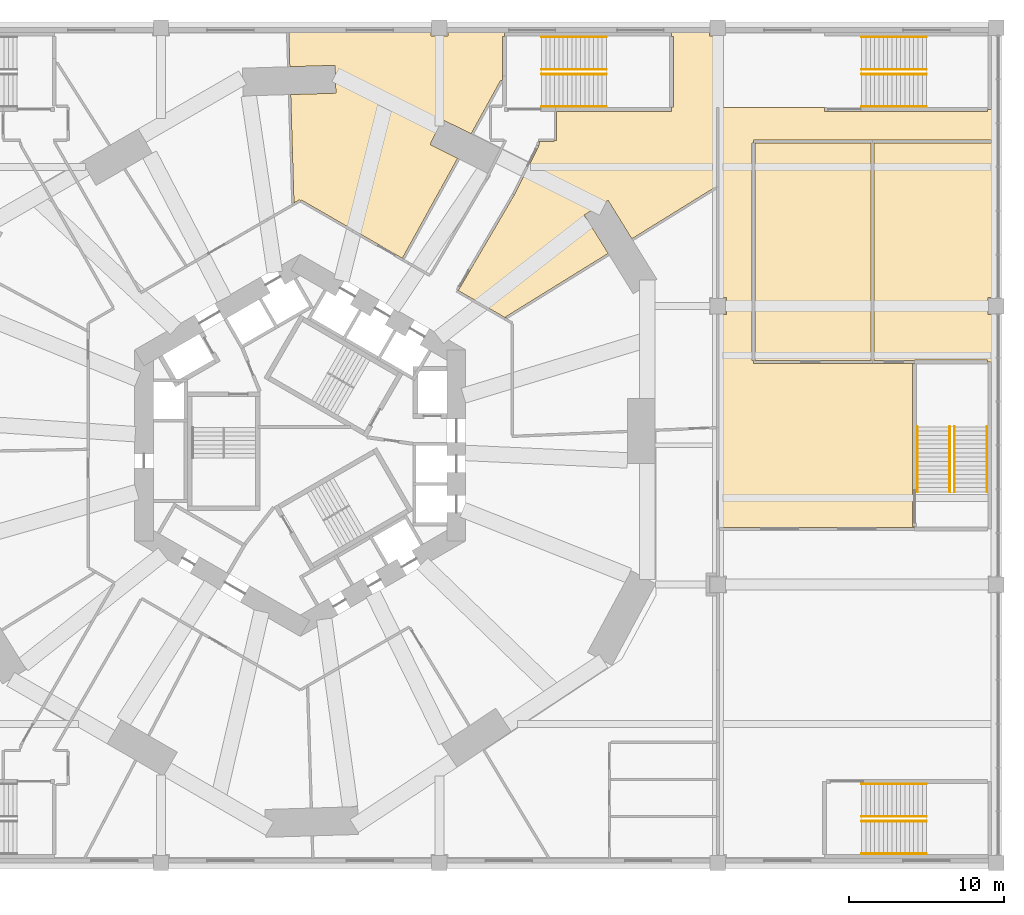
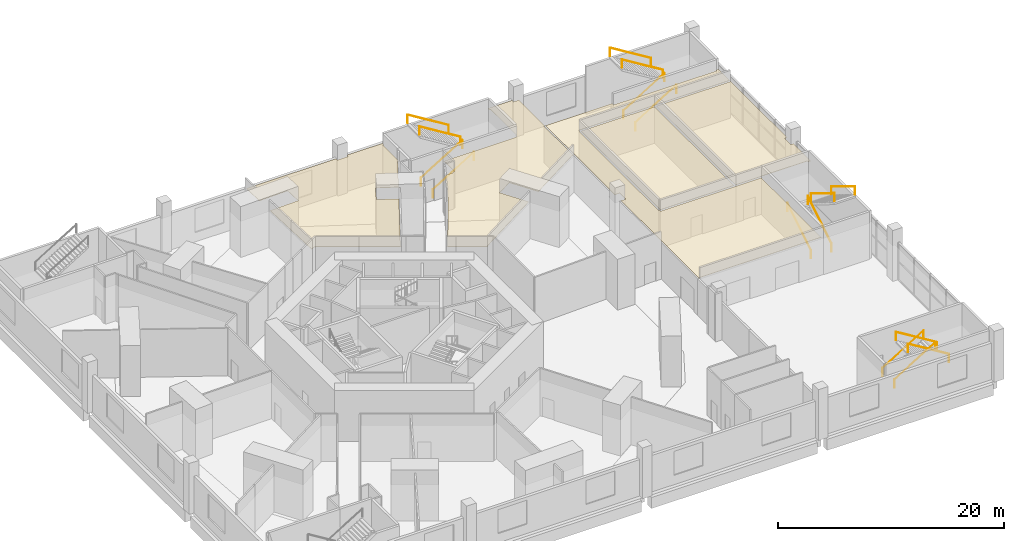
# One storey, part 16 of 16: 16 railings, 5 coverings.
"""IFC4 building model written with IfcOpenShell, lengths in metres."""

from ifc_helpers import new_model, si_unit, direction, frame, origin, origin_2d, place, context, subcontext, project, spatial, polyline, circle, outline, extrude, material, layer, layer_set, type_object, element, save


model = new_model("IFC4")

# Units and contexts
model_context = context("Model", 3, precision=1e-05, world=origin(), true_north=direction((0.0, 1.0)))
body_context = subcontext(model_context, "Body", "Model", "MODEL_VIEW")
ifc_project = project(units=[si_unit("LENGTHUNIT", "METRE"), si_unit("AREAUNIT", "SQUARE_METRE"), si_unit("VOLUMEUNIT", "CUBIC_METRE"), si_unit("PLANEANGLEUNIT", "RADIAN"), si_unit("MASSUNIT", "GRAM", prefix="KILO")], contexts=[model_context])

# Site, building, storey
site_placement = place(None, origin())
site = spatial("IfcSite", under=ifc_project, at=site_placement, CompositionType="ELEMENT")
building_placement = place(site_placement, origin())
building = spatial("IfcBuilding", under=site, at=building_placement, Name="Vanh Sen Convention Tower", CompositionType="ELEMENT")
storey_placement = place(building_placement, frame((0.0, 0.0, 29.0)))
storey = spatial("IfcBuildingStorey", under=building, at=storey_placement, Name="L04", CompositionType="ELEMENT", Elevation=29.0)

# Railings
ifc_material_1 = material(Name="Stainless steel", Category="steel")
railing_type = type_object("IfcRailingType", Name="Podium handrail 900", PredefinedType="HANDRAIL", material=ifc_material_1)
for number, where, name in (
    (1, (36.300048828125, 21.89990234375, 0.171875), "Handrail PS1 L04"),
    (2, (36.300048828125, 24.0, 0.171875), "Handrail PS1 L04"),
):
    element("IfcRailing", number, at=place(storey_placement, frame(where)), inside=storey, type_object=railing_type, Name=name, PredefinedType="HANDRAIL", context=body_context, shape_type="SweptSolid", body=[
        extrude(circle(Radius=0.02392578125, at=origin_2d()), frame((0.0, 0.0, 0.8759765625), z_axis=(0.852242915053, 0.0, 0.523146264196), x_axis=(0.0, 1.0, 0.0)), (0.0, 0.0, 1.0), 4.92822265625),
        extrude(circle(Radius=0.02099609375, at=origin_2d()), origin(), (0.0, 0.0, 1.0), 0.851806640625),
        extrude(circle(Radius=0.02099609375, at=origin_2d()), frame((4.199951171875, 0.0, 2.578125)), (0.0, 0.0, 1.0), 0.851806640625),
    ])
for number, where, name in (
    (3, (40.5, 26.39990234375, 2.921875), "Handrail PS1 L04"),
    (4, (40.5, 24.300048828125, 2.921875), "Handrail PS1 L04"),
):
    element("IfcRailing", number, at=place(storey_placement, frame(where)), inside=storey, type_object=railing_type, Name=name, PredefinedType="HANDRAIL", context=body_context, shape_type="SweptSolid", body=[
        extrude(circle(Radius=0.02392578125, at=origin_2d()), frame((0.0, 0.0, 0.8759765625), z_axis=(-0.852242915053, 0.0, 0.523146264196), x_axis=(0.0, -1.0, 0.0)), (0.0, 0.0, 1.0), 4.92822265625),
        extrude(circle(Radius=0.02099609375, at=origin_2d()), origin(), (0.0, 0.0, 1.0), 0.851806640625),
        extrude(circle(Radius=0.02099609375, at=origin_2d()), frame((-4.199951171875, 0.0, 2.578125)), (0.0, 0.0, 1.0), 0.851806640625),
    ])
for number, where, name in (
    (5, (36.300048828125, -21.89990234375, 0.171875), "Handrail PS2 L04"),
    (6, (36.300048828125, -24.0, 0.171875), "Handrail PS2 L04"),
):
    element("IfcRailing", number, at=place(storey_placement, frame(where)), inside=storey, type_object=railing_type, Name=name, PredefinedType="HANDRAIL", context=body_context, shape_type="SweptSolid", body=[
        extrude(circle(Radius=0.02392578125, at=origin_2d()), frame((0.0, 0.0, 0.8759765625), z_axis=(0.852242915053, 0.0, 0.523146264196), x_axis=(0.0, 1.0, 0.0)), (0.0, 0.0, 1.0), 4.92822265625),
        extrude(circle(Radius=0.02099609375, at=origin_2d()), origin(), (0.0, 0.0, 1.0), 0.851806640625),
        extrude(circle(Radius=0.02099609375, at=origin_2d()), frame((4.199951171875, 0.0, 2.578125)), (0.0, 0.0, 1.0), 0.851806640625),
    ])
for number, where, name in (
    (7, (40.5, -26.39990234375, 2.921875), "Handrail PS2 L04"),
    (8, (40.5, -24.300048828125, 2.921875), "Handrail PS2 L04"),
):
    element("IfcRailing", number, at=place(storey_placement, frame(where)), inside=storey, type_object=railing_type, Name=name, PredefinedType="HANDRAIL", context=body_context, shape_type="SweptSolid", body=[
        extrude(circle(Radius=0.02392578125, at=origin_2d()), frame((0.0, 0.0, 0.8759765625), z_axis=(-0.852242915053, 0.0, 0.523146264196), x_axis=(0.0, -1.0, 0.0)), (0.0, 0.0, 1.0), 4.92822265625),
        extrude(circle(Radius=0.02099609375, at=origin_2d()), origin(), (0.0, 0.0, 1.0), 0.851806640625),
        extrude(circle(Radius=0.02099609375, at=origin_2d()), frame((-4.199951171875, 0.0, 2.578125)), (0.0, 0.0, 1.0), 0.851806640625),
    ])
for number, where, name in (
    (9, (39.89990234375, -3.0, 0.171875), "Handrail PS3 L04"),
    (10, (42.0, -3.0, 0.171875), "Handrail PS3 L04"),
):
    element("IfcRailing", number, at=place(storey_placement, frame(where)), inside=storey, type_object=railing_type, Name=name, PredefinedType="HANDRAIL", context=body_context, shape_type="SweptSolid", body=[
        extrude(circle(Radius=0.02392578125, at=origin_2d()), frame((0.0, 0.0, 0.8759765625), z_axis=(0.0, 0.852242915053, 0.523146264196), x_axis=(-1.0, 0.0, 0.0)), (0.0, 0.0, 1.0), 4.92822265625),
        extrude(circle(Radius=0.02099609375, at=origin_2d()), origin(), (0.0, 0.0, 1.0), 0.851806640625),
        extrude(circle(Radius=0.02099609375, at=origin_2d()), frame((0.0, 4.199951171875, 2.578125)), (0.0, 0.0, 1.0), 0.851806640625),
    ])
for number, where, name in (
    (11, (44.39990234375, 1.199951171875, 2.921875), "Handrail PS3 L04"),
    (12, (42.300048828125, 1.199951171875, 2.921875), "Handrail PS3 L04"),
):
    element("IfcRailing", number, at=place(storey_placement, frame(where)), inside=storey, type_object=railing_type, Name=name, PredefinedType="HANDRAIL", context=body_context, shape_type="SweptSolid", body=[
        extrude(circle(Radius=0.02392578125, at=origin_2d()), frame((0.0, 0.0, 0.8759765625), z_axis=(0.0, -0.852242915053, 0.523146264196), x_axis=(1.0, 0.0, 0.0)), (0.0, 0.0, 1.0), 4.92822265625),
        extrude(circle(Radius=0.02099609375, at=origin_2d()), origin(), (0.0, 0.0, 1.0), 0.851806640625),
        extrude(circle(Radius=0.02099609375, at=origin_2d()), frame((0.0, -4.199951171875, 2.578125)), (0.0, 0.0, 1.0), 0.851806640625),
    ])
for number, where, name in (
    (13, (15.60009765625, 21.89990234375, 0.171875), "Handrail PS4 L04"),
    (14, (15.60009765625, 24.0, 0.171875), "Handrail PS4 L04"),
):
    element("IfcRailing", number, at=place(storey_placement, frame(where)), inside=storey, type_object=railing_type, Name=name, PredefinedType="HANDRAIL", context=body_context, shape_type="SweptSolid", body=[
        extrude(circle(Radius=0.02392578125, at=origin_2d()), frame((0.0, 0.0, 0.8759765625), z_axis=(0.852242915053, 0.0, 0.523146264196), x_axis=(0.0, 1.0, 0.0)), (0.0, 0.0, 1.0), 4.92822265625),
        extrude(circle(Radius=0.02099609375, at=origin_2d()), origin(), (0.0, 0.0, 1.0), 0.851806640625),
        extrude(circle(Radius=0.02099609375, at=origin_2d()), frame((4.199951171875, 0.0, 2.578125)), (0.0, 0.0, 1.0), 0.851806640625),
    ])
for number, where, name in (
    (15, (19.800048828125, 26.39990234375, 2.921875), "Handrail PS4 L04"),
    (16, (19.800048828125, 24.300048828125, 2.921875), "Handrail PS4 L04"),
):
    element("IfcRailing", number, at=place(storey_placement, frame(where)), inside=storey, type_object=railing_type, Name=name, PredefinedType="HANDRAIL", context=body_context, shape_type="SweptSolid", body=[
        extrude(circle(Radius=0.02392578125, at=origin_2d()), frame((0.0, 0.0, 0.8759765625), z_axis=(-0.852242915053, 0.0, 0.523146264196), x_axis=(0.0, -1.0, 0.0)), (0.0, 0.0, 1.0), 4.92822265625),
        extrude(circle(Radius=0.02099609375, at=origin_2d()), origin(), (0.0, 0.0, 1.0), 0.851806640625),
        extrude(circle(Radius=0.02099609375, at=origin_2d()), frame((-4.199951171875, 0.0, 2.578125)), (0.0, 0.0, 1.0), 0.851806640625),
    ])

# Coverings
ifc_material_2 = material(Name="Mineral fibre tiles in a concealed grid")
ifc_layer = layer(ifc_material_2, 0.0400390625)
ifc_layer_set = layer_set([ifc_layer], Name="Mineral fibre tiles in a concealed grid")
covering_type = type_object("IfcCoveringType", Name="Suspended ceiling 600 x 600 tile", PredefinedType="CEILING", material=ifc_layer_set)
covering_1_placement = place(storey_placement, frame((0.0, 0.0, 3.909912109375)))
element("IfcCovering", 17, at=covering_1_placement, inside=storey, type_object=covering_type, Name="Suspended ceiling CL3 Pre-function foyer", PredefinedType="CEILING", context=body_context, shape_type="SweptSolid", body=[
    extrude(outline(polyline([(33.89990234375, 21.85009765625), (29.300048828125, 21.85009765625), (27.074951171875, 21.85009765625), (27.074951171875, 16.7080078125), (27.074951171875, 9.550048828125), (27.550048828125, 9.550048828125), (27.550048828125, 8.449951171875), (27.074951171875, 8.449951171875), (27.074951171875, 1.1474609375), (27.074951171875, -5.39990234375), (27.10009765625, -5.39990234375), (27.10009765625, -5.300048828125), (39.72509765625, -5.300048828125), (39.72509765625, -5.27490234375), (39.72509765625, -5.260009765625), (39.60009765625, -5.260009765625), (39.60009765625, 5.260009765625), (39.72509765625, 5.260009765625), (39.72509765625, 5.27490234375), (39.72509765625, 5.300048828125), (37.0, 5.300048828125), (29.300048828125, 5.300048828125), (29.300048828125, 5.39990234375), (29.300048828125, 5.5), (29.199951171875, 5.5), (29.199951171875, 19.550048828125), (29.300048828125, 19.550048828125), (29.300048828125, 19.64990234375), (29.300048828125, 19.75), (37.0, 19.75), (44.699951171875, 19.75), (44.699951171875, 21.72509765625), (44.43994140625, 21.72509765625), (44.43994140625, 21.60009765625), (33.89990234375, 21.60009765625), (33.89990234375, 21.72509765625), (33.89990234375, 21.85009765625)])), origin(), (0.0, 0.0, 1.0), 0.0400390625),
])
covering_2_placement = place(storey_placement, frame((0.0, 0.0, 3.909912109375)))
element("IfcCovering", 18, at=covering_2_placement, inside=storey, type_object=covering_type, Name="Suspended ceiling CL3 Meeting room", PredefinedType="CEILING", context=body_context, shape_type="SweptSolid", body=[
    extrude(outline(polyline([(36.89990234375, 19.550048828125), (29.39990234375, 19.550048828125), (29.39990234375, 5.5), (36.89990234375, 5.5), (36.89990234375, 19.550048828125)])), origin(), (0.0, 0.0, 1.0), 0.0400390625),
])
covering_3_placement = place(storey_placement, frame((0.0, 0.0, 3.909912109375)))
element("IfcCovering", 19, at=covering_3_placement, inside=storey, type_object=covering_type, Name="Suspended ceiling CL3 Executive meeting room", PredefinedType="CEILING", context=body_context, shape_type="SweptSolid", body=[
    extrude(outline(polyline([(44.43994140625, 5.39990234375), (44.699951171875, 5.39990234375), (44.699951171875, 8.449951171875), (44.449951171875, 8.449951171875), (44.449951171875, 9.550048828125), (44.699951171875, 9.550048828125), (44.699951171875, 19.550048828125), (37.10009765625, 19.550048828125), (37.10009765625, 5.5), (39.72509765625, 5.5), (39.72509765625, 5.52490234375), (44.43994140625, 5.52490234375), (44.43994140625, 5.39990234375)])), origin(), (0.0, 0.0, 1.0), 0.0400390625),
])
covering_4_placement = place(storey_placement, frame((0.0, 0.0, 3.909912109375)))
element("IfcCovering", 20, at=covering_4_placement, inside=storey, type_object=covering_type, Name="Suspended ceiling CL3 Meeting suite", PredefinedType="CEILING", context=body_context, shape_type="SweptSolid", body=[
    extrude(outline(polyline([(13.85546875, 16.220458984375), (13.78857421875, 16.25390625), (13.77197265625, 16.22412109375), (13.83642578125, 16.18603515625), (10.218505859375, 10.011474609375), (10.154052734375, 10.049560546875), (10.151611328125, 10.044921875), (10.87109375, 9.62939453125), (13.262451171875, 8.2490234375), (13.297607421875, 8.22900390625), (13.326904296875, 8.2470703125), (13.28759765625, 8.31103515625), (19.9091796875, 12.408935546875), (18.370361328125, 14.89599609375), (19.90087890625, 15.843017578125), (21.43994140625, 13.35595703125), (26.841552734375, 16.697998046875), (26.881103515625, 16.634521484375), (26.925048828125, 16.66162109375), (26.925048828125, 16.7080078125), (26.925048828125, 21.85009765625), (27.0, 21.85009765625), (27.0, 26.449951171875), (26.449951171875, 26.449951171875), (26.449951171875, 26.699951171875), (24.0, 26.699951171875), (24.0, 26.43994140625), (24.125, 26.43994140625), (24.125, 21.864990234375), (24.0, 21.864990234375), (24.0, 21.85009765625), (24.0, 21.72509765625), (24.0, 21.60009765625), (16.5, 21.60009765625), (16.5, 21.5849609375), (16.574951171875, 21.5849609375), (16.574951171875, 19.72509765625), (16.5, 19.72509765625), (16.425048828125, 19.72509765625), (16.419921875, 19.72509765625), (16.419921875, 19.64990234375), (15.39990234375, 19.64990234375), (15.39990234375, 19.60888671875), (15.472900390625, 19.592041015625), (15.419921875, 19.365966796875), (15.346923828125, 19.383056640625), (15.337890625, 19.364990234375), (15.405029296875, 19.33154296875), (13.85546875, 16.220458984375)])), origin(), (0.0, 0.0, 1.0), 0.0400390625),
])
covering_5_placement = place(storey_placement, frame((0.0, 0.0, 3.909912109375)))
element("IfcCovering", 21, at=covering_5_placement, inside=storey, type_object=covering_type, Name="Suspended ceiling CL3 Boardroom", PredefinedType="CEILING", context=body_context, shape_type="SweptSolid", body=[
    extrude(outline(polyline([(-0.03759765625, 15.884521484375), (0.0, 15.819580078125), (0.052001953125, 15.78955078125), (0.089599609375, 15.8544921875), (3.423583984375, 13.929443359375), (6.66552734375, 12.0576171875), (6.66748046875, 12.06201171875), (6.60205078125, 12.098388671875), (10.174560546875, 18.560302734375), (8.396484375, 19.44677734375), (9.19970703125, 21.0576171875), (11.11181640625, 20.104248046875), (11.047607421875, 20.139892578125), (12.950439453125, 23.58203125), (13.01611328125, 23.5458984375), (13.074951171875, 23.652587890625), (13.074951171875, 23.87841796875), (13.074951171875, 26.43994140625), (13.199951171875, 26.43994140625), (13.199951171875, 26.699951171875), (9.550048828125, 26.699951171875), (9.550048828125, 26.449951171875), (8.449951171875, 26.449951171875), (8.449951171875, 26.699951171875), (-0.740478515625, 26.699951171875), (-0.672607421875, 24.47900390625), (2.250732421875, 24.568359375), (2.305908203125, 22.769287109375), (-0.617919921875, 22.679931640625), (-0.50390625, 18.947998046875), (-0.404052734375, 15.673095703125), (-0.03759765625, 15.884521484375)])), origin(), (0.0, 0.0, 1.0), 0.0400390625),
])

save(model, "model.ifc")
